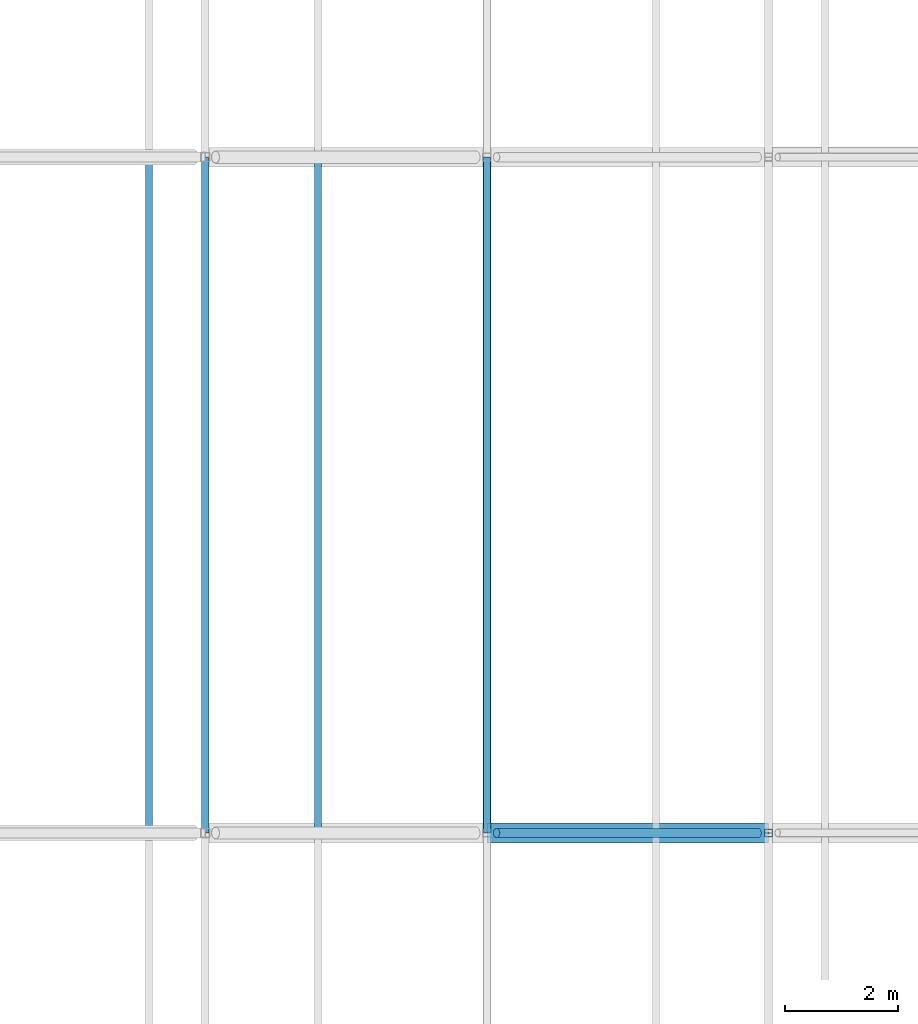
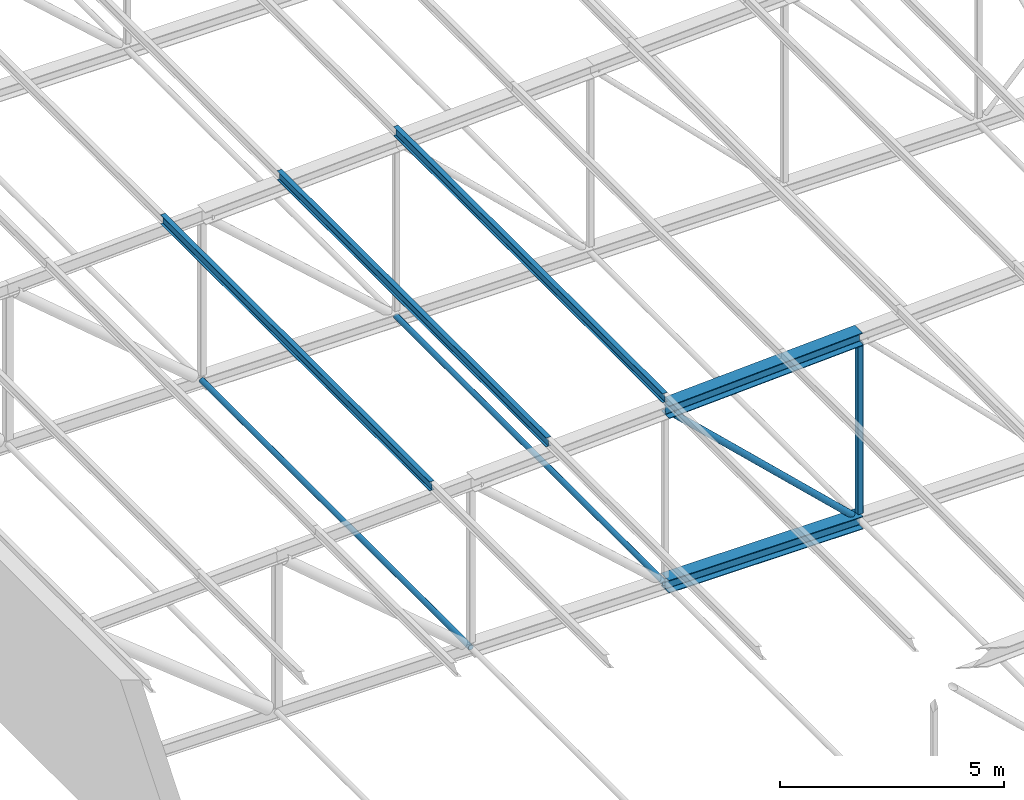
# One storey, part 55 of 156: 9 members.
"""IFC4 building model written with IfcOpenShell, lengths in metres."""

from ifc_helpers import new_model, si_unit, direction, frame, origin, origin_2d, place, context, subcontext, project, spatial, hollow_rectangle, hollow_circle, i_section, extrude, material, material_profile, profile_set, type_object, element, save


model = new_model("IFC4")

# Units and contexts
model_context = context("Model", 3, precision=1e-05, world=origin(), true_north=direction((0.0, 1.0)))
body_context = subcontext(model_context, "Body", "Model", "MODEL_VIEW")
ifc_project = project(units=[si_unit("LENGTHUNIT", "METRE"), si_unit("AREAUNIT", "SQUARE_METRE"), si_unit("VOLUMEUNIT", "CUBIC_METRE"), si_unit("PLANEANGLEUNIT", "RADIAN"), si_unit("MASSUNIT", "GRAM", prefix="KILO")], contexts=[model_context])

# Site, building, storey
site_placement = place(None, origin())
site = spatial("IfcSite", under=ifc_project, at=site_placement, CompositionType="ELEMENT")
building_placement = place(site_placement, origin())
building = spatial("IfcBuilding", under=site, at=building_placement, Name="Lilac Gate Convention Centre", CompositionType="ELEMENT")
storey_placement = place(building_placement, frame((0.0, 0.0, 17.0)))
storey = spatial("IfcBuildingStorey", under=building, at=storey_placement, Name="L03", CompositionType="ELEMENT", Elevation=17.0)

# Members
ifc_material = material(Name="Steel Q355B", Category="steel")
ifc_material_profile_1 = material_profile(ifc_material, hollow_circle(Radius=0.06982421875, WallThickness=0.0048828125, at=origin_2d()), Name="CHS139.7x5")
ifc_profile_set_1 = profile_set([ifc_material_profile_1], Name="Steel Q355B")
member_type_1 = type_object("IfcMemberType", Name="Bottom chord tie CHS139.7x5", PredefinedType="STRUT", material=ifc_profile_set_1)
member_1_placement = place(storey_placement, frame((40.0, 102.00341796875, 0.0), z_axis=(0.0, 1.0, 0.0), x_axis=(-1.0, 0.0, 0.0)))
element("IfcMember", 1, at=member_1_placement, inside=storey, type_object=member_type_1, Name="ST1 tie bay 7 node 3", PredefinedType="STRUT", context=body_context, shape_type="SweptSolid", body=[
    extrude(hollow_circle(Radius=0.06982421875, WallThickness=0.0048828125, at=origin_2d()), origin(), (0.0, 0.0, 1.0), 11.9931640625),
])
member_2_placement = place(storey_placement, frame((45.0, 102.006103515625, 0.0), z_axis=(0.0, 1.0, 0.0), x_axis=(-1.0, 0.0, 0.0)))
element("IfcMember", 2, at=member_2_placement, inside=storey, type_object=member_type_1, Name="ST1 tie bay 7 node 4", PredefinedType="STRUT", context=body_context, shape_type="SweptSolid", body=[
    extrude(hollow_circle(Radius=0.06982421875, WallThickness=0.0048828125, at=origin_2d()), origin(), (0.0, 0.0, 1.0), 11.98779296875),
])
ifc_material_profile_2 = material_profile(ifc_material, i_section(OverallWidth=0.125, OverallDepth=0.25, WebThickness=0.006103515625, FlangeThickness=0.009033203125, FilletRadius=0.008056640625, at=origin_2d()), Name="HN250x125x6x9")
ifc_profile_set_2 = profile_set([ifc_material_profile_2], Name="Steel Q355B")
member_type_2 = type_object("IfcMemberType", Name="Roof purlin HN250x125x6x9", PredefinedType="PURLIN", material=ifc_profile_set_2)
for number, where, z_axis, x_axis, name in (
    (3, (39.0, 102.0, 4.750244140625), (0.0, 1.0, 0.0), (-1.0, 0.0, 0.0), "PU2 purlin bay 7 line 4"),
    (4, (42.0, 102.0, 4.900146484375), (0.0, 1.0, 0.0), (-1.0, 0.0, 0.0), "PU2 purlin bay 7 line 5"),
    (5, (45.0, 102.0, 5.05029296875), (0.0, 1.0, 0.0), (-1.0, 0.0, 0.0), "PU2 purlin bay 7 line 6"),
):
    element("IfcMember", number, at=place(storey_placement, frame(where, z_axis=z_axis, x_axis=x_axis)), inside=storey, type_object=member_type_2, Name=name, PredefinedType="PURLIN", context=body_context, shape_type="SweptSolid", body=[
        extrude(i_section(OverallWidth=0.125, OverallDepth=0.25, WebThickness=0.006103515625, FlangeThickness=0.009033203125, FilletRadius=0.008056640625, at=origin_2d()), origin(), (0.0, 0.0, 1.0), 12.0),
    ])
ifc_material_profile_3 = material_profile(ifc_material, i_section(OverallWidth=0.35009765625, OverallDepth=0.35009765625, WebThickness=0.011962890625, FlangeThickness=0.01904296875, FilletRadius=0.012939453125, at=origin_2d()), Name="HW350x350x12x19")
ifc_profile_set_3 = profile_set([ifc_material_profile_3], Name="Steel Q355B")
member_type_3 = type_object("IfcMemberType", Name="Truss bottom chord HW350x350x12x19", PredefinedType="CHORD", material=ifc_profile_set_3)
member_3_placement = place(storey_placement, frame((45.0, 102.0, 0.0), z_axis=(1.0, 0.0, 0.0), x_axis=(0.0, 1.0, 0.0)))
element("IfcMember", 6, at=member_3_placement, inside=storey, type_object=member_type_3, Name="TB2 truss 7 bottom chord 4", PredefinedType="CHORD", context=body_context, shape_type="SweptSolid", body=[
    extrude(i_section(OverallWidth=0.35009765625, OverallDepth=0.35009765625, WebThickness=0.011962890625, FlangeThickness=0.01904296875, FilletRadius=0.012939453125, at=origin_2d()), origin(), (0.0, 0.0, 1.0), 5.0),
])
ifc_material_profile_4 = material_profile(ifc_material, hollow_circle(Radius=0.084228515625, WallThickness=0.006103515625, at=origin_2d()), Name="CHS168.3x6")
ifc_profile_set_4 = profile_set([ifc_material_profile_4], Name="Steel Q355B")
member_type_4 = type_object("IfcMemberType", Name="Truss diagonal CHS168.3x6", PredefinedType="BRACE", material=ifc_profile_set_4)
member_4_placement = place(storey_placement, frame((45.1728515625, 102.0, 4.585693359375), z_axis=(0.725020373275, 0.0, -0.688727419475), x_axis=(0.0, 1.0, 0.0)))
element("IfcMember", 7, at=member_4_placement, inside=storey, type_object=member_type_4, Name="TW4 truss 7 diagonal 4", PredefinedType="BRACE", context=body_context, shape_type="SweptSolid", body=[
    extrude(hollow_circle(Radius=0.084228515625, WallThickness=0.006103515625, at=origin_2d()), origin(), (0.0, 0.0, 1.0), 6.404052734375),
])
ifc_material_profile_5 = material_profile(ifc_material, i_section(OverallWidth=0.35009765625, OverallDepth=0.35009765625, WebThickness=0.011962890625, FlangeThickness=0.01904296875, FilletRadius=0.012939453125, at=origin_2d()), Name="HW350x350x12x19")
ifc_profile_set_5 = profile_set([ifc_material_profile_5], Name="Steel Q355B")
member_type_5 = type_object("IfcMemberType", Name="Truss top chord HW350x350x12x19", PredefinedType="CHORD", material=ifc_profile_set_5)
member_5_placement = place(storey_placement, frame((45.0, 102.0, 4.75), z_axis=(0.998752338878, 0.0, 0.049937616944), x_axis=(0.0, 1.0, 0.0)))
element("IfcMember", 8, at=member_5_placement, inside=storey, type_object=member_type_5, Name="TT2 truss 7 top chord 4", PredefinedType="CHORD", context=body_context, shape_type="SweptSolid", body=[
    extrude(i_section(OverallWidth=0.35009765625, OverallDepth=0.35009765625, WebThickness=0.011962890625, FlangeThickness=0.01904296875, FilletRadius=0.012939453125, at=origin_2d()), origin(), (0.0, 0.0, 1.0), 5.00634765625),
])
ifc_material_profile_6 = material_profile(ifc_material, hollow_rectangle(XDim=0.139892578125, YDim=0.139892578125, WallThickness=0.0048828125, InnerFilletRadius=0.0048828125, OuterFilletRadius=0.010009765625, at=origin_2d()), Name="SHS140x140x5")
ifc_profile_set_6 = profile_set([ifc_material_profile_6], Name="Steel Q355B")
member_type_6 = type_object("IfcMemberType", Name="Truss vertical SHS140x140x5", PredefinedType="STRUT", material=ifc_profile_set_6)
member_6_placement = place(storey_placement, frame((50.0, 102.0, 0.175048828125), z_axis=(0.0, 0.0, 1.0), x_axis=(1.0, 0.0, 0.0)))
element("IfcMember", 9, at=member_6_placement, inside=storey, type_object=member_type_6, Name="TV4 truss 7 vertical 5", PredefinedType="STRUT", context=body_context, shape_type="SweptSolid", body=[
    extrude(hollow_rectangle(XDim=0.139892578125, YDim=0.139892578125, WallThickness=0.0048828125, InnerFilletRadius=0.0048828125, OuterFilletRadius=0.010009765625, at=origin_2d()), origin(), (0.0, 0.0, 1.0), 4.649658203125),
])

save(model, "model.ifc")
